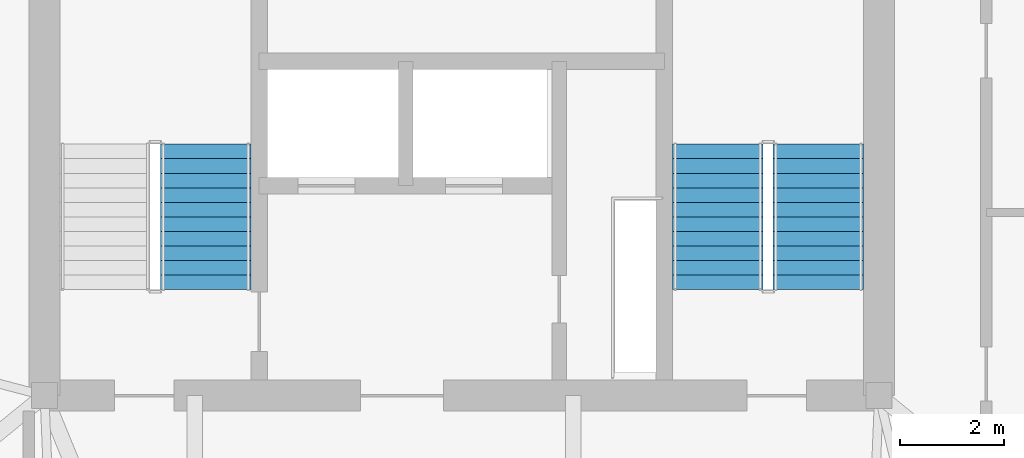
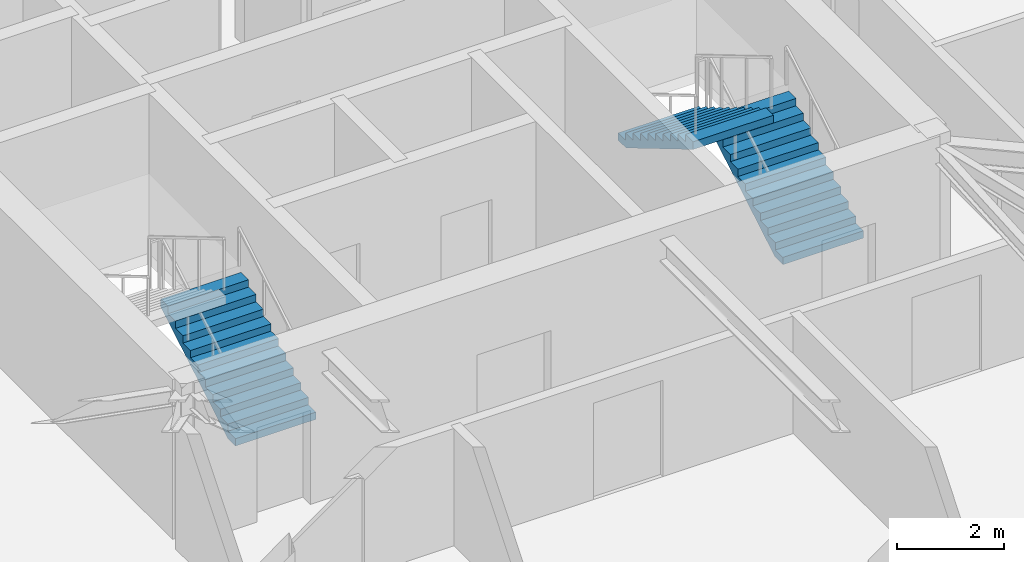
# One storey, part 8 of 9: 3 stair flights, 2 elements without a shape of their own.
"""IFC4 building model written with IfcOpenShell, lengths in metres."""

from ifc_helpers import new_model, si_unit, direction, frame, origin, place, context, subcontext, project, spatial, polyline, outline, extrude, material, type_object, element, aggregate, save


model = new_model("IFC4")

# Units and contexts
model_context = context("Model", 3, precision=1e-05, world=origin(), true_north=direction((0.0, 1.0)))
body_context = subcontext(model_context, "Body", "Model", "MODEL_VIEW")
ifc_project = project(units=[si_unit("LENGTHUNIT", "METRE"), si_unit("AREAUNIT", "SQUARE_METRE"), si_unit("VOLUMEUNIT", "CUBIC_METRE"), si_unit("PLANEANGLEUNIT", "RADIAN"), si_unit("MASSUNIT", "GRAM", prefix="KILO")], contexts=[model_context])

# Site, building, storey
site_placement = place(None, origin())
site = spatial("IfcSite", under=ifc_project, at=site_placement, CompositionType="ELEMENT")
building_placement = place(site_placement, origin())
building = spatial("IfcBuilding", under=site, at=building_placement, Name="Talyreon Biosciences Tower", CompositionType="ELEMENT")
storey_placement = place(building_placement, frame((0.0, 0.0, 294.75)))
storey = spatial("IfcBuildingStorey", under=building, at=storey_placement, Name="L78", CompositionType="ELEMENT", Elevation=294.75)

# Stair, stair flight
ifc_material = material(Name="Concrete C40/50", Category="concrete")
stair_type = type_object("IfcStairType", Name="DoglegEscapeStair_3650", PredefinedType="HALF_TURN_STAIR", material=ifc_material)
stair_1_placement = place(storey_placement, origin())
stair_1 = element("IfcStair", 1, at=stair_1_placement, inside=storey, type_object=stair_type, Name="L78 Core Escape Stair 1", PredefinedType="HALF_TURN_STAIR")
stair_flight_type = type_object("IfcStairFlightType", Name="PrecastStairFlight_3650", PredefinedType="STRAIGHT", material=ifc_material)
stair_flight_1_placement = place(storey_placement, frame((61.06005859375, 63.39990234375, 0.0), z_axis=(0.0, 0.0, 1.0), x_axis=(0.0, 1.0, 0.0)))
stair_flight_1 = element("IfcStairFlight", 2, at=stair_flight_1_placement, type_object=stair_flight_type, Name="ST-1 flight 1", NumberOfRisers=11, NumberOfTreads=10, PredefinedType="STRAIGHT", RiserHeight=0.165909091, TreadLength=0.28, context=body_context, shape_type="SweptSolid", body=[
    extrude(outline(polyline([(0.0, 0.0), (0.0, 0.166015625), (0.280029296875, 0.166015625), (0.280029296875, 0.331787109375), (0.56005859375, 0.331787109375), (0.56005859375, 0.497802734375), (0.840087890625, 0.497802734375), (0.840087890625, 0.66357421875), (1.1201171875, 0.66357421875), (1.1201171875, 0.82958984375), (1.39990234375, 0.82958984375), (1.39990234375, 0.995361328125), (1.679931640625, 0.995361328125), (1.679931640625, 1.161376953125), (1.9599609375, 1.161376953125), (1.9599609375, 1.327392578125), (2.239990234375, 1.327392578125), (2.239990234375, 1.4931640625), (2.52001953125, 1.4931640625), (2.52001953125, 1.6591796875), (2.800048828125, 1.6591796875), (2.800048828125, 1.824951171875), (2.800048828125, 1.48486328125), (0.2939453125, 0.0), (0.0, 0.0)])), frame((0.0, 0.8701171875, 0.0), z_axis=(0.0, -1.0, 0.0), x_axis=(1.0, 0.0, 0.0)), (0.0, 0.0, 1.0), 1.739990234375),
])
aggregate(stair_1, [stair_flight_1])

# Stair, stair flights
stair_2_placement = place(storey_placement, origin())
stair_2 = element("IfcStair", 3, at=stair_2_placement, inside=storey, type_object=stair_type, Name="L78 Core Escape Stair 2", PredefinedType="HALF_TURN_STAIR")
stair_flight_2_placement = place(storey_placement, frame((72.8798828125, 63.39990234375, 0.0), z_axis=(0.0, 0.0, 1.0), x_axis=(0.0, 1.0, 0.0)))
stair_flight_2 = element("IfcStairFlight", 4, at=stair_flight_2_placement, type_object=stair_flight_type, Name="ST-2 flight 1", NumberOfRisers=11, NumberOfTreads=10, PredefinedType="STRAIGHT", RiserHeight=0.165909091, TreadLength=0.28, context=body_context, shape_type="SweptSolid", body=[
    extrude(outline(polyline([(0.0, 0.0), (0.0, 0.166015625), (0.280029296875, 0.166015625), (0.280029296875, 0.331787109375), (0.56005859375, 0.331787109375), (0.56005859375, 0.497802734375), (0.840087890625, 0.497802734375), (0.840087890625, 0.66357421875), (1.1201171875, 0.66357421875), (1.1201171875, 0.82958984375), (1.39990234375, 0.82958984375), (1.39990234375, 0.995361328125), (1.679931640625, 0.995361328125), (1.679931640625, 1.161376953125), (1.9599609375, 1.161376953125), (1.9599609375, 1.327392578125), (2.239990234375, 1.327392578125), (2.239990234375, 1.4931640625), (2.52001953125, 1.4931640625), (2.52001953125, 1.6591796875), (2.800048828125, 1.6591796875), (2.800048828125, 1.824951171875), (2.800048828125, 1.48486328125), (0.2939453125, 0.0), (0.0, 0.0)])), frame((0.0, 0.8701171875, 0.0), z_axis=(0.0, -1.0, 0.0), x_axis=(1.0, 0.0, 0.0)), (0.0, 0.0, 1.0), 1.739990234375),
])
stair_flight_3_placement = place(storey_placement, frame((70.93994140625, 66.199951171875, 1.824951171875), z_axis=(0.0, 0.0, 1.0), x_axis=(0.0, -1.0, 0.0)))
stair_flight_3 = element("IfcStairFlight", 5, at=stair_flight_3_placement, type_object=stair_flight_type, Name="ST-2 flight 2", NumberOfRisers=11, NumberOfTreads=10, PredefinedType="STRAIGHT", RiserHeight=0.165909091, TreadLength=0.28, context=body_context, shape_type="SweptSolid", body=[
    extrude(outline(polyline([(0.0, 0.0), (0.0, 0.166015625), (0.280029296875, 0.166015625), (0.280029296875, 0.331787109375), (0.56005859375, 0.331787109375), (0.56005859375, 0.497802734375), (0.840087890625, 0.497802734375), (0.840087890625, 0.66357421875), (1.1201171875, 0.66357421875), (1.1201171875, 0.82958984375), (1.39990234375, 0.82958984375), (1.39990234375, 0.995361328125), (1.679931640625, 0.995361328125), (1.679931640625, 1.161376953125), (1.9599609375, 1.161376953125), (1.9599609375, 1.327392578125), (2.239990234375, 1.327392578125), (2.239990234375, 1.4931640625), (2.52001953125, 1.4931640625), (2.52001953125, 1.6591796875), (2.800048828125, 1.6591796875), (2.800048828125, 1.824951171875), (2.800048828125, 1.48486328125), (0.2939453125, 0.0), (0.0, 0.0)])), frame((0.0, 0.8701171875, 0.0), z_axis=(0.0, -1.0, 0.0), x_axis=(1.0, 0.0, 0.0)), (0.0, 0.0, 1.0), 1.739990234375),
])
aggregate(stair_2, [stair_flight_2, stair_flight_3])

save(model, "model.ifc")
